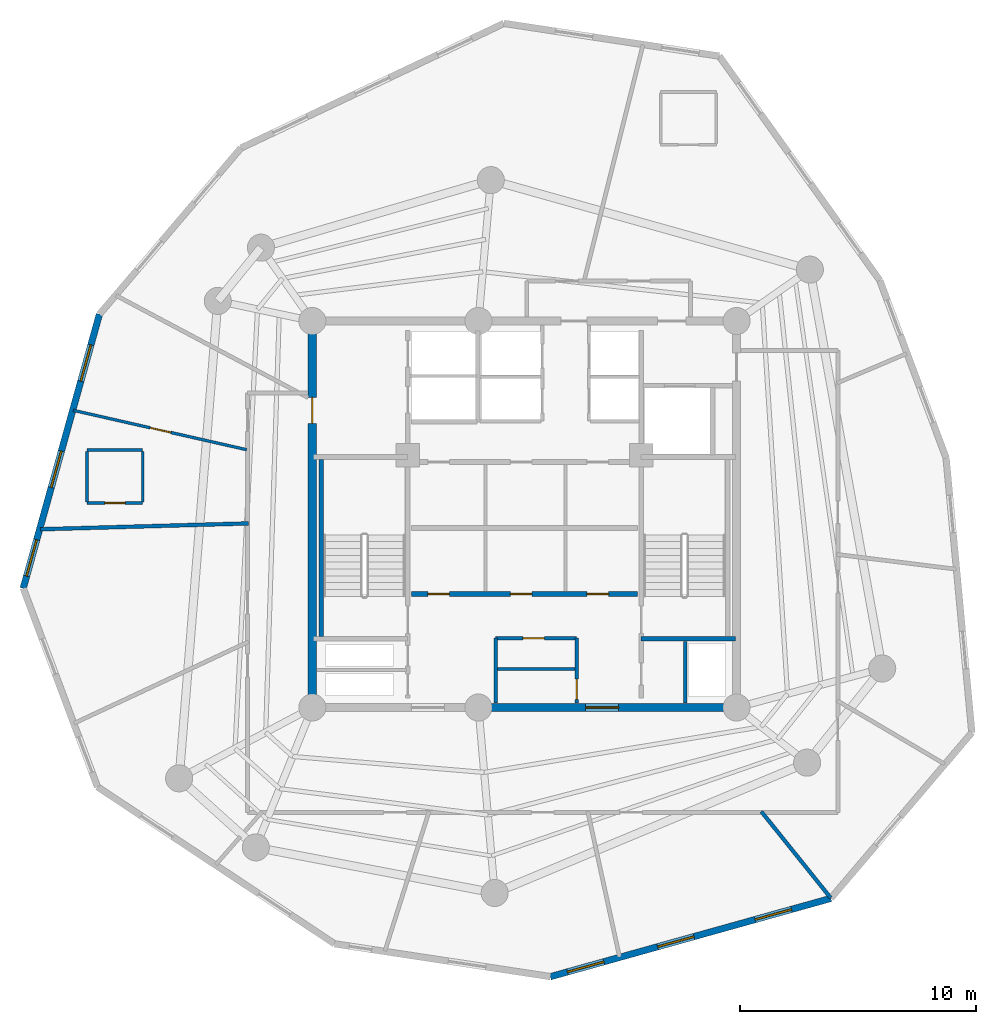
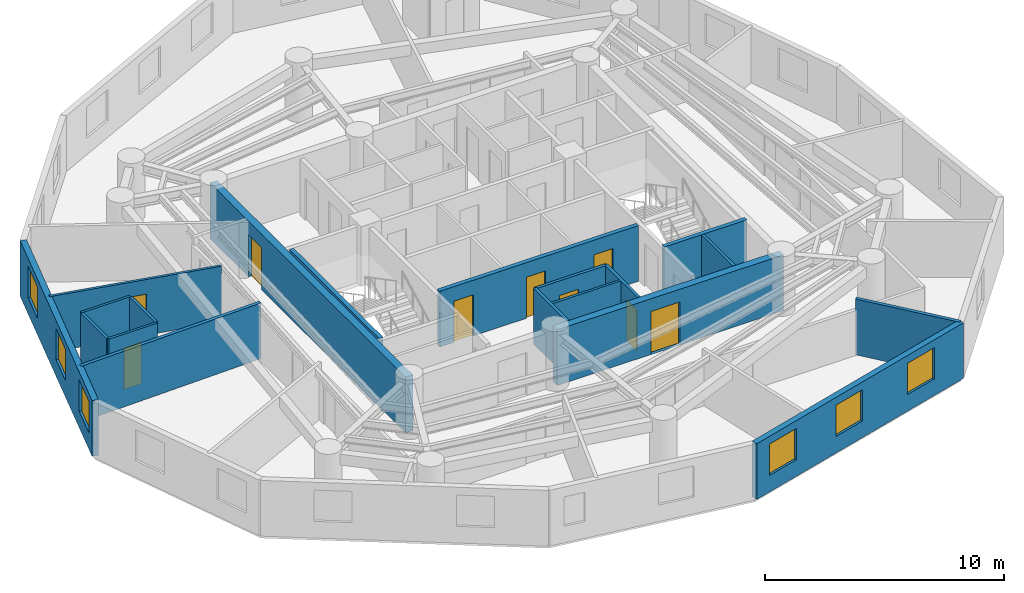
# One storey, part 3 of 7: 19 walls, 9 doors, 6 windows, 15 openings.
"""IFC4 building model written with IfcOpenShell, lengths in metres."""

from ifc_helpers import new_model, si_unit, direction, frame, frame_2d, origin, origin_with_axes, place, context, subcontext, project, spatial, rectangle, extrude, source, transform, mapped, material, layer, layer_set, type_object, element, fill, save


model = new_model("IFC4")

# Units and contexts
model_context = context("Model", 3, precision=1e-05, world=origin(), true_north=direction((0.0, 1.0)))
body_context = subcontext(model_context, "Body", "Model", "MODEL_VIEW")
ifc_project = project(units=[si_unit("LENGTHUNIT", "METRE"), si_unit("AREAUNIT", "SQUARE_METRE"), si_unit("VOLUMEUNIT", "CUBIC_METRE"), si_unit("PLANEANGLEUNIT", "RADIAN"), si_unit("MASSUNIT", "GRAM", prefix="KILO")], contexts=[model_context])

# Site, building, storey
site_placement = place(None, origin())
site = spatial("IfcSite", under=ifc_project, at=site_placement, CompositionType="ELEMENT")
building_placement = place(site_placement, origin())
building = spatial("IfcBuilding", under=site, at=building_placement, Name="Karkom Vertical University and Central Library", CompositionType="ELEMENT")
storey_placement = place(building_placement, frame((0.0, 0.0, 238.25)))
storey = spatial("IfcBuildingStorey", under=building, at=storey_placement, Name="L70", CompositionType="ELEMENT", Elevation=238.25)

# Wall, openings, windows
ifc_material_1 = material(Name="Brick-faced precast concrete C45/55", Category="masonry")
ifc_layer_1 = layer(ifc_material_1, 0.280029296875)
ifc_layer_set_1 = layer_set([ifc_layer_1], Name="Brick-faced precast concrete C45/55")
wall_type_1 = type_object("IfcWallType", Name="ENV-WL-BRK-280", PredefinedType="SOLIDWALL", material=ifc_layer_set_1)
wall_1_placement = place(storey_placement, frame((29.601318359375, 6.876220703125, 0.0), z_axis=(0.0, 0.0, 1.0), x_axis=(0.963188210112, 0.268827959673, 0.0)))
wall_1 = element("IfcWall", 1, at=wall_1_placement, inside=storey, type_object=wall_type_1, Name="Level 70 Brick-Faced Precast Facade Wall 04", PredefinedType="SOLIDWALL", context=body_context, shape_type="SweptSolid", body=[
    extrude(rectangle(XDim=12.354736328125, YDim=0.280029296875, at=frame_2d((6.17724609375, 0.0))), origin(), (0.0, 0.0, 1.0), 2.85009765625),
])
opening_1_placement = place(wall_1_placement, frame((0.757080078125, 0.0, 0.85009765625)))
opening_1 = element("IfcOpeningElement", 2, at=opening_1_placement, cuts=wall_1, Name="Opening WN-10", PredefinedType="OPENING", context=body_context, shape_type="SweptSolid", body=[
    extrude(rectangle(XDim=1.60009765625, YDim=1.60009765625, at=frame_2d((0.800048828125, 0.800048828125))), frame((0.0, 0.14990234375, 0.0), z_axis=(0.0, -1.0, 0.0), x_axis=(1.0, 0.0, 0.0)), (0.0, 0.0, 1.0), 0.300048828125),
])
opening_2_placement = place(wall_1_placement, frame((4.724609375, 0.0, 0.85009765625)))
opening_2 = element("IfcOpeningElement", 3, at=opening_2_placement, cuts=wall_1, Name="Opening WN-10", PredefinedType="OPENING", context=body_context, shape_type="SweptSolid", body=[
    extrude(rectangle(XDim=1.60009765625, YDim=1.60009765625, at=frame_2d((0.800048828125, 0.800048828125))), frame((0.0, 0.14990234375, 0.0), z_axis=(0.0, -1.0, 0.0), x_axis=(1.0, 0.0, 0.0)), (0.0, 0.0, 1.0), 0.300048828125),
])
opening_3_placement = place(wall_1_placement, frame((9.024658203125, 0.0, 0.85009765625)))
opening_3 = element("IfcOpeningElement", 4, at=opening_3_placement, cuts=wall_1, Name="Opening WN-10", PredefinedType="OPENING", context=body_context, shape_type="SweptSolid", body=[
    extrude(rectangle(XDim=1.60009765625, YDim=1.60009765625, at=frame_2d((0.800048828125, 0.800048828125))), frame((0.0, 0.14990234375, 0.0), z_axis=(0.0, -1.0, 0.0), x_axis=(1.0, 0.0, 0.0)), (0.0, 0.0, 1.0), 0.300048828125),
])
ifc_material_2 = material(Name="Aluminium thermal-break frame with solar-control IGU", Category="aluminium")
window_type = type_object("IfcWindowType", Name="ENV-WIN-WN-10", PartitioningType="SINGLE_PANEL", PredefinedType="WINDOW", material=ifc_material_2)
shared_shape_1 = source(origin_with_axes(), body_context, "Body", "SweptSolid", [
    extrude(rectangle(XDim=1.60009765625, YDim=1.60009765625, at=frame_2d((0.800048828125, 0.800048828125))), frame((0.0, 0.030029296875, 0.0), z_axis=(0.0, -1.0, 0.0), x_axis=(1.0, 0.0, 0.0)), (0.0, 0.0, 1.0), 0.06005859375),
])
window_1_placement = place(opening_1_placement, origin())
window_1 = element("IfcWindow", 5, at=window_1_placement, inside=storey, type_object=window_type, Name="Level 70 Punched Window 4.1", OverallHeight=1.60009765625, OverallWidth=1.60009765625, PartitioningType="SINGLE_PANEL", PredefinedType="WINDOW", context=body_context, shape_type="MappedRepresentation", body=[
    mapped(shared_shape_1, transform((0.0, 0.0, 0.0), scale=1.0)),
])
fill(opening_1, window_1)
window_2_placement = place(opening_2_placement, origin())
window_2 = element("IfcWindow", 6, at=window_2_placement, inside=storey, type_object=window_type, Name="Level 70 Punched Window 4.2", OverallHeight=1.60009765625, OverallWidth=1.60009765625, PartitioningType="SINGLE_PANEL", PredefinedType="WINDOW", context=body_context, shape_type="MappedRepresentation", body=[
    mapped(shared_shape_1, transform((0.0, 0.0, 0.0), scale=1.0)),
])
fill(opening_2, window_2)
window_3_placement = place(opening_3_placement, origin())
window_3 = element("IfcWindow", 7, at=window_3_placement, inside=storey, type_object=window_type, Name="Level 70 Punched Window 4.3", OverallHeight=1.60009765625, OverallWidth=1.60009765625, PartitioningType="SINGLE_PANEL", PredefinedType="WINDOW", context=body_context, shape_type="MappedRepresentation", body=[
    mapped(shared_shape_1, transform((0.0, 0.0, 0.0), scale=1.0)),
])
fill(opening_3, window_3)

wall_2_placement = place(storey_placement, frame((10.466064453125, 34.987548828125, 0.0), z_axis=(0.0, 0.0, 1.0), x_axis=(-0.267969313024, -0.963427447853, 0.0)))
wall_2 = element("IfcWall", 8, at=wall_2_placement, inside=storey, type_object=wall_type_1, Name="Level 70 Brick-Faced Precast Facade Wall 12", PredefinedType="SOLIDWALL", context=body_context, shape_type="SweptSolid", body=[
    extrude(rectangle(XDim=12.07080078125, YDim=0.280029296875, at=frame_2d((6.035400390625, 0.0))), origin(), (0.0, 0.0, 1.0), 2.85009765625),
])
opening_4_placement = place(wall_2_placement, frame((1.351806640625, 0.0, 0.85009765625)))
opening_4 = element("IfcOpeningElement", 9, at=opening_4_placement, cuts=wall_2, Name="Opening WN-10", PredefinedType="OPENING", context=body_context, shape_type="SweptSolid", body=[
    extrude(rectangle(XDim=1.60009765625, YDim=1.60009765625, at=frame_2d((0.800048828125, 0.800048828125))), frame((0.0, 0.14990234375, 0.0), z_axis=(0.0, -1.0, 0.0), x_axis=(1.0, 0.0, 0.0)), (0.0, 0.0, 1.0), 0.300048828125),
])
opening_5_placement = place(wall_2_placement, frame((6.028564453125, 0.0, 0.85009765625)))
opening_5 = element("IfcOpeningElement", 10, at=opening_5_placement, cuts=wall_2, Name="Opening WN-10", PredefinedType="OPENING", context=body_context, shape_type="SweptSolid", body=[
    extrude(rectangle(XDim=1.60009765625, YDim=1.60009765625, at=frame_2d((0.800048828125, 0.800048828125))), frame((0.0, 0.14990234375, 0.0), z_axis=(0.0, -1.0, 0.0), x_axis=(1.0, 0.0, 0.0)), (0.0, 0.0, 1.0), 0.300048828125),
])
opening_6_placement = place(wall_2_placement, frame((9.931884765625, 0.0, 0.85009765625)))
opening_6 = element("IfcOpeningElement", 11, at=opening_6_placement, cuts=wall_2, Name="Opening WN-10", PredefinedType="OPENING", context=body_context, shape_type="SweptSolid", body=[
    extrude(rectangle(XDim=1.60009765625, YDim=1.60009765625, at=frame_2d((0.800048828125, 0.800048828125))), frame((0.0, 0.14990234375, 0.0), z_axis=(0.0, -1.0, 0.0), x_axis=(1.0, 0.0, 0.0)), (0.0, 0.0, 1.0), 0.300048828125),
])
window_4_placement = place(opening_4_placement, origin())
window_4 = element("IfcWindow", 12, at=window_4_placement, inside=storey, type_object=window_type, Name="Level 70 Punched Window 12.1", OverallHeight=1.60009765625, OverallWidth=1.60009765625, PartitioningType="SINGLE_PANEL", PredefinedType="WINDOW", context=body_context, shape_type="MappedRepresentation", body=[
    mapped(shared_shape_1, transform((0.0, 0.0, 0.0), scale=1.0)),
])
fill(opening_4, window_4)
window_5_placement = place(opening_5_placement, origin())
window_5 = element("IfcWindow", 13, at=window_5_placement, inside=storey, type_object=window_type, Name="Level 70 Punched Window 12.2", OverallHeight=1.60009765625, OverallWidth=1.60009765625, PartitioningType="SINGLE_PANEL", PredefinedType="WINDOW", context=body_context, shape_type="MappedRepresentation", body=[
    mapped(shared_shape_1, transform((0.0, 0.0, 0.0), scale=1.0)),
])
fill(opening_5, window_5)
window_6_placement = place(opening_6_placement, origin())
window_6 = element("IfcWindow", 14, at=window_6_placement, inside=storey, type_object=window_type, Name="Level 70 Punched Window 12.3", OverallHeight=1.60009765625, OverallWidth=1.60009765625, PartitioningType="SINGLE_PANEL", PredefinedType="WINDOW", context=body_context, shape_type="MappedRepresentation", body=[
    mapped(shared_shape_1, transform((0.0, 0.0, 0.0), scale=1.0)),
])
fill(opening_6, window_6)

# Walls
ifc_material_3 = material(Name="Insulated metal-stud drywall 160mm", Category="gypsum")
ifc_layer_2 = layer(ifc_material_3, 0.159912109375)
ifc_layer_set_2 = layer_set([ifc_layer_2], Name="Insulated metal-stud drywall 160mm")
wall_type_2 = type_object("IfcWallType", Name="INT-WL-COR-160", PredefinedType="PARTITIONING", material=ifc_layer_set_2)
wall_3_placement = place(storey_placement, frame((7.956787109375, 25.86279296875, 0.0), z_axis=(0.0, 0.0, 1.0), x_axis=(0.999605642757, 0.028081292157, 0.0)))
element("IfcWall", 15, at=wall_3_placement, inside=storey, type_object=wall_type_2, Name="Level 70 Interior Partition Wall L70-PW-002", PredefinedType="PARTITIONING", context=body_context, shape_type="SweptSolid", body=[
    extrude(rectangle(XDim=8.841796875, YDim=0.159912109375, at=frame_2d((4.4208984375, 0.0))), origin(), (0.0, 0.0, 1.0), 2.85009765625),
])
wall_4_placement = place(storey_placement, frame((38.553466796875, 13.885009765625, 0.0), z_axis=(0.0, 0.0, 1.0), x_axis=(0.626159620149, -0.779694895517, 0.0)))
element("IfcWall", 16, at=wall_4_placement, inside=storey, type_object=wall_type_2, Name="Level 70 Interior Partition Wall L70-PW-008", PredefinedType="PARTITIONING", context=body_context, shape_type="SweptSolid", body=[
    extrude(rectangle(XDim=4.6923828125, YDim=0.159912109375, at=frame_2d((2.34619140625, 0.0))), origin(), (0.0, 0.0, 1.0), 2.85009765625),
])

# Wall, opening, door
ifc_material_4 = material(Name="Moisture-resistant drywall 120mm", Category="gypsum")
ifc_layer_3 = layer(ifc_material_4, 0.1201171875)
ifc_layer_set_3 = layer_set([ifc_layer_3], Name="Moisture-resistant drywall 120mm")
wall_type_3 = type_object("IfcWallType", Name="INT-WL-INT-120", PredefinedType="PARTITIONING", material=ifc_layer_set_3)
wall_5_placement = place(storey_placement, frame((16.7138671875, 29.239013671875, 0.0), z_axis=(0.0, 0.0, 1.0), x_axis=(-0.975158919123, 0.22150639371, 0.0)))
wall_5 = element("IfcWall", 17, at=wall_5_placement, inside=storey, type_object=wall_type_3, Name="Level 70 Interior Partition Wall L70-APT-11-DIV", PredefinedType="PARTITIONING", context=body_context, shape_type="SweptSolid", body=[
    extrude(rectangle(XDim=7.54345703125, YDim=0.1201171875, at=frame_2d((3.771728515625, 0.0))), origin(), (0.0, 0.0, 1.0), 2.85009765625),
])
opening_7_placement = place(wall_5_placement, frame((3.296630859375, 0.0, 0.0)))
opening_7 = element("IfcOpeningElement", 18, at=opening_7_placement, cuts=wall_5, Name="Opening D-INT1", PredefinedType="OPENING", context=body_context, shape_type="SweptSolid", body=[
    extrude(rectangle(XDim=0.89990234375, YDim=2.10009765625, at=frame_2d((0.449951171875, 1.050048828125))), frame((0.0, 0.070068359375, 0.0), z_axis=(0.0, -1.0, 0.0), x_axis=(1.0, 0.0, 0.0)), (0.0, 0.0, 1.0), 0.14013671875),
])
ifc_material_5 = material(Name="Painted solid-core timber door", Category="wood")
door_type_1 = type_object("IfcDoorType", Name="INT-DR-INT1", OperationType="NOTDEFINED", PredefinedType="DOOR", material=ifc_material_5)
shared_shape_2 = source(origin_with_axes(), body_context, "Body", "SweptSolid", [
    extrude(rectangle(XDim=0.89990234375, YDim=2.10009765625, at=frame_2d((0.449951171875, 1.050048828125))), frame((0.0, 0.02490234375, 0.0), z_axis=(0.0, -1.0, 0.0), x_axis=(1.0, 0.0, 0.0)), (0.0, 0.0, 1.0), 0.050048828125),
])
door_1_placement = place(opening_7_placement, origin())
door_1 = element("IfcDoor", 19, at=door_1_placement, inside=storey, type_object=door_type_1, Name="Level 70 Flat L70-11 Internal Door", OperationType="SINGLE_SWING_LEFT", OverallHeight=2.10009765625, OverallWidth=0.89990234375, PredefinedType="DOOR", context=body_context, shape_type="MappedRepresentation", body=[
    mapped(shared_shape_2, transform((0.0, 0.0, 0.0), scale=1.0)),
])
fill(opening_7, door_1)

# Wall
wall_6_placement = place(storey_placement, frame((27.280029296875, 19.93994140625, 0.0), z_axis=(0.0, 0.0, 1.0), x_axis=(1.0, 0.0, 0.0)))
element("IfcWall", 20, at=wall_6_placement, inside=storey, type_object=wall_type_3, Name="Level 70 Interior Partition Wall L70-CW-K4-DIV", PredefinedType="PARTITIONING", context=body_context, shape_type="SweptSolid", body=[
    extrude(rectangle(XDim=3.43994140625, YDim=0.1201171875, at=frame_2d((1.719970703125, 0.0))), origin(), (0.0, 0.0, 1.0), 2.85009765625),
])

# Wall, opening, door
ifc_layer_4 = layer(ifc_material_4, 0.1201171875)
ifc_layer_set_4 = layer_set([ifc_layer_4], Name="Moisture-resistant drywall 120mm")
wall_type_4 = type_object("IfcWallType", Name="INT-WL-INT-120F", PredefinedType="PARTITIONING", material=ifc_layer_set_4)
wall_7_placement = place(storey_placement, frame((9.945068359375, 26.97998046875, 0.0), z_axis=(0.0, 0.0, 1.0), x_axis=(1.0, 0.0, 0.0)))
wall_7 = element("IfcWall", 21, at=wall_7_placement, inside=storey, type_object=wall_type_4, Name="Level 70 Interior Partition Wall L70-ENS-50-S", PredefinedType="PARTITIONING", context=body_context, shape_type="SweptSolid", body=[
    extrude(rectangle(XDim=2.35986328125, YDim=0.1201171875, at=frame_2d((1.179931640625, 0.0))), origin(), (0.0, 0.0, 1.0), 2.85009765625),
])
opening_8_placement = place(wall_7_placement, frame((0.75, 0.0, 0.0)))
opening_8 = element("IfcOpeningElement", 22, at=opening_8_placement, cuts=wall_7, Name="Opening D-BATH", PredefinedType="OPENING", context=body_context, shape_type="SweptSolid", body=[
    extrude(rectangle(XDim=0.860107421875, YDim=2.10009765625, at=frame_2d((0.43017578125, 1.050048828125))), frame((0.0, 0.070068359375, 0.0), z_axis=(0.0, -1.0, 0.0), x_axis=(1.0, 0.0, 0.0)), (0.0, 0.0, 1.0), 0.14013671875),
])
ifc_material_6 = material(Name="Moisture-resistant oak door", Category="wood")
door_type_2 = type_object("IfcDoorType", Name="INT-DR-BATH", OperationType="NOTDEFINED", PredefinedType="DOOR", material=ifc_material_6)
shared_shape_3 = source(origin_with_axes(), body_context, "Body", "SweptSolid", [
    extrude(rectangle(XDim=0.860107421875, YDim=2.10009765625, at=frame_2d((0.43017578125, 1.050048828125))), frame((0.0, 0.02490234375, 0.0), z_axis=(0.0, -1.0, 0.0), x_axis=(1.0, 0.0, 0.0)), (0.0, 0.0, 1.0), 0.050048828125),
])
door_2_placement = place(opening_8_placement, origin())
door_2 = element("IfcDoor", 23, at=door_2_placement, inside=storey, type_object=door_type_2, Name="Level 70 En-Suite Bathroom Door 50", OperationType="SINGLE_SWING_RIGHT", OverallHeight=2.10009765625, OverallWidth=0.860107421875, PredefinedType="DOOR", context=body_context, shape_type="MappedRepresentation", body=[
    mapped(shared_shape_3, transform((0.0, 0.0, 0.0), scale=1.0)),
])
fill(opening_8, door_2)

# Walls
wall_8_placement = place(storey_placement, frame((12.304931640625, 29.219970703125, 0.0), z_axis=(0.0, 0.0, 1.0), x_axis=(-1.0, 0.0, 0.0)))
element("IfcWall", 24, at=wall_8_placement, inside=storey, type_object=wall_type_4, Name="Level 70 Interior Partition Wall L70-ENS-50-N", PredefinedType="PARTITIONING", context=body_context, shape_type="SweptSolid", body=[
    extrude(rectangle(XDim=2.35986328125, YDim=0.1201171875, at=frame_2d((1.179931640625, 0.0))), origin(), (0.0, 0.0, 1.0), 2.85009765625),
])
for number, where, z_axis, x_axis, name in (
    (25, (12.304931640625, 27.030029296875, 0.0), (0.0, 0.0, 1.0), (0.0, 1.0, 0.0), "Level 70 Interior Partition Wall L70-ENS-50-E"),
    (26, (9.945068359375, 29.169921875, 0.0), (0.0, 0.0, 1.0), (0.0, -1.0, 0.0), "Level 70 Interior Partition Wall L70-ENS-50-W"),
):
    element("IfcWall", number, at=place(storey_placement, frame(where, z_axis=z_axis, x_axis=x_axis)), inside=storey, type_object=wall_type_4, Name=name, PredefinedType="PARTITIONING", context=body_context, shape_type="SweptSolid", body=[
        extrude(rectangle(XDim=2.139892578125, YDim=0.1201171875, at=frame_2d((1.06982421875, 0.0))), origin(), (0.0, 0.0, 1.0), 2.85009765625),
    ])

# Wall, opening, door
ifc_material_7 = material(Name="Metal-stud gypsum partition 140mm", Category="gypsum")
ifc_layer_5 = layer(ifc_material_7, 0.139892578125)
ifc_layer_set_5 = layer_set([ifc_layer_5], Name="Metal-stud gypsum partition 140mm")
wall_type_5 = type_object("IfcWallType", Name="INT-WL-SUB-140", PredefinedType="PARTITIONING", material=ifc_layer_set_5)
wall_9_placement = place(storey_placement, frame((27.280029296875, 21.239990234375, 0.0), z_axis=(0.0, 0.0, 1.0), x_axis=(1.0, 0.0, 0.0)))
wall_9 = element("IfcWall", 27, at=wall_9_placement, inside=storey, type_object=wall_type_5, Name="Level 70 Interior Partition Wall L70-CW-KBAY-N", PredefinedType="PARTITIONING", context=body_context, shape_type="SweptSolid", body=[
    extrude(rectangle(XDim=3.43994140625, YDim=0.139892578125, at=frame_2d((1.719970703125, 0.0))), origin(), (0.0, 0.0, 1.0), 2.85009765625),
])
opening_9_placement = place(wall_9_placement, frame((1.14990234375, 0.0, 0.0)))
opening_9 = element("IfcOpeningElement", 28, at=opening_9_placement, cuts=wall_9, Name="Opening D-SVC1", PredefinedType="OPENING", context=body_context, shape_type="SweptSolid", body=[
    extrude(rectangle(XDim=0.919921875, YDim=2.10009765625, at=frame_2d((0.4599609375, 1.050048828125))), frame((0.0, 0.080078125, 0.0), z_axis=(0.0, -1.0, 0.0), x_axis=(1.0, 0.0, 0.0)), (0.0, 0.0, 1.0), 0.159912109375),
])
ifc_material_8 = material(Name="Painted timber service door", Category="wood")
door_type_3 = type_object("IfcDoorType", Name="INT-DR-SVC1", OperationType="NOTDEFINED", PredefinedType="DOOR", material=ifc_material_8)
shared_shape_4 = source(origin_with_axes(), body_context, "Body", "SweptSolid", [
    extrude(rectangle(XDim=0.919921875, YDim=2.10009765625, at=frame_2d((0.4599609375, 1.050048828125))), frame((0.0, 0.02490234375, 0.0), z_axis=(0.0, -1.0, 0.0), x_axis=(1.0, 0.0, 0.0)), (0.0, 0.0, 1.0), 0.050048828125),
])
door_3_placement = place(opening_9_placement, origin())
door_3 = element("IfcDoor", 29, at=door_3_placement, inside=storey, type_object=door_type_3, Name="Level 70 Valve Cupboard Door", OperationType="SINGLE_SWING_RIGHT", OverallHeight=2.10009765625, OverallWidth=0.919921875, PredefinedType="DOOR", context=body_context, shape_type="MappedRepresentation", body=[
    mapped(shared_shape_4, transform((0.0, 0.0, 0.0), scale=1.0)),
])
fill(opening_9, door_3)

# Wall
wall_10_placement = place(storey_placement, frame((27.280029296875, 18.48193359375, 0.0), z_axis=(0.0, 0.0, 1.0), x_axis=(0.0, 1.0, 0.0)))
element("IfcWall", 30, at=wall_10_placement, inside=storey, type_object=wall_type_5, Name="Level 70 Interior Partition Wall L70-CW-KBAY-W", PredefinedType="PARTITIONING", context=body_context, shape_type="SweptSolid", body=[
    extrude(rectangle(XDim=2.758056640625, YDim=0.139892578125, at=frame_2d((1.37890625, 0.0))), origin(), (0.0, 0.0, 1.0), 2.85009765625),
])

# Wall, opening, door
wall_11_placement = place(storey_placement, frame((30.719970703125, 18.48193359375, 0.0), z_axis=(0.0, 0.0, 1.0), x_axis=(0.0, 1.0, 0.0)))
wall_11 = element("IfcWall", 31, at=wall_11_placement, inside=storey, type_object=wall_type_5, Name="Level 70 Interior Partition Wall L70-CW-KBAY-E", PredefinedType="PARTITIONING", context=body_context, shape_type="SweptSolid", body=[
    extrude(rectangle(XDim=2.758056640625, YDim=0.139892578125, at=frame_2d((1.37890625, 0.0))), origin(), (0.0, 0.0, 1.0), 2.85009765625),
])
opening_10_placement = place(wall_11_placement, frame((0.159912109375, 0.0, 0.0)))
opening_10 = element("IfcOpeningElement", 32, at=opening_10_placement, cuts=wall_11, Name="Opening FD-BTH1", PredefinedType="OPENING", context=body_context, shape_type="SweptSolid", body=[
    extrude(rectangle(XDim=0.860107421875, YDim=2.10009765625, at=frame_2d((0.43017578125, 1.050048828125))), frame((0.0, 0.080078125, 0.0), z_axis=(0.0, -1.0, 0.0), x_axis=(1.0, 0.0, 0.0)), (0.0, 0.0, 1.0), 0.159912109375),
])
ifc_material_9 = material(Name="Fire-rated moisture-resistant oak door", Category="wood")
door_type_4 = type_object("IfcDoorType", Name="INT-DR-FBTH1", OperationType="NOTDEFINED", PredefinedType="DOOR", material=ifc_material_9)
door_4_placement = place(opening_10_placement, origin())
door_4 = element("IfcDoor", 33, at=door_4_placement, inside=storey, type_object=door_type_4, Name="Level 70 Metering Cupboard Door", OperationType="SINGLE_SWING_LEFT", OverallHeight=2.10009765625, OverallWidth=0.860107421875, PredefinedType="DOOR", context=body_context, shape_type="MappedRepresentation", body=[
    mapped(shared_shape_3, transform((0.0, 0.0, 0.0), scale=1.0)),
])
fill(opening_10, door_4)

# Wall
ifc_layer_6 = layer(ifc_material_7, 0.139892578125)
ifc_layer_set_6 = layer_set([ifc_layer_6], Name="Metal-stud gypsum partition 140mm")
wall_type_6 = type_object("IfcWallType", Name="INT-WL-SUB-140H", PredefinedType="PARTITIONING", material=ifc_layer_set_6)
wall_12_placement = place(storey_placement, frame((35.320068359375, 18.48193359375, 0.0), z_axis=(0.0, 0.0, 1.0), x_axis=(0.0, 1.0, 0.0)))
element("IfcWall", 34, at=wall_12_placement, inside=storey, type_object=wall_type_6, Name="Level 70 Interior Partition Wall L70-CW-RIS-E", PredefinedType="PARTITIONING", context=body_context, shape_type="SweptSolid", body=[
    extrude(rectangle(XDim=2.629150390625, YDim=0.139892578125, at=frame_2d((1.314453125, 0.0))), origin(), (0.0, 0.0, 1.0), 2.85009765625),
])

# Wall, opening, door
ifc_material_10 = material(Name="Concrete C45/55", Category="concrete")
ifc_layer_7 = layer(ifc_material_10, 0.35009765625)
ifc_layer_set_7 = layer_set([ifc_layer_7], Name="Concrete C45/55")
wall_type_7 = type_object("IfcWallType", Name="STR-WL-CW-350", PredefinedType="SHEAR", material=ifc_layer_set_7)
wall_13_placement = place(storey_placement, frame((26.550048828125, 18.300048828125, 0.0), z_axis=(0.0, 0.0, 1.0), x_axis=(1.0, 0.0, 0.0)))
wall_13 = element("IfcWall", 35, at=wall_13_placement, inside=storey, type_object=wall_type_7, Name="Level 70 Central Core Shear Wall SW2", PredefinedType="SHEAR", context=body_context, shape_type="SweptSolid", body=[
    extrude(rectangle(XDim=10.949951171875, YDim=0.35009765625, at=frame_2d((5.47509765625, 0.0))), origin(), (0.0, 0.0, 1.0), 2.85009765625),
])
opening_11_placement = place(wall_13_placement, frame((4.550048828125, 0.0, 0.0)))
opening_11 = element("IfcOpeningElement", 36, at=opening_11_placement, cuts=wall_13, Name="Opening FD-CLB", PredefinedType="OPENING", context=body_context, shape_type="SweptSolid", body=[
    extrude(rectangle(XDim=1.39990234375, YDim=2.199951171875, at=frame_2d((0.699951171875, 1.10009765625))), frame((0.0, 0.18505859375, 0.0), z_axis=(0.0, -1.0, 0.0), x_axis=(1.0, 0.0, 0.0)), (0.0, 0.0, 1.0), 0.3701171875),
])
ifc_material_11 = material(Name="Painted steel fire door", Category="steel")
door_type_5 = type_object("IfcDoorType", Name="INT-DR-CLB", OperationType="DOUBLE_DOOR_SINGLE_SWING", PredefinedType="DOOR", material=ifc_material_11)
shared_shape_5 = source(origin_with_axes(), body_context, "Body", "SweptSolid", [
    extrude(rectangle(XDim=1.39990234375, YDim=2.199951171875, at=frame_2d((0.699951171875, 1.10009765625))), frame((0.0, 0.02490234375, 0.0), z_axis=(0.0, -1.0, 0.0), x_axis=(1.0, 0.0, 0.0)), (0.0, 0.0, 1.0), 0.050048828125),
])
door_5_placement = place(opening_11_placement, origin())
door_5 = element("IfcDoor", 37, at=door_5_placement, inside=storey, type_object=door_type_5, Name="Level 70 South Core Lobby East Exit Door", OperationType="DOUBLE_DOOR_SINGLE_SWING", OverallHeight=2.199951171875, OverallWidth=1.39990234375, PredefinedType="DOOR", context=body_context, shape_type="MappedRepresentation", body=[
    mapped(shared_shape_5, transform((0.0, 0.0, 0.0), scale=1.0)),
])
fill(opening_11, door_5)

wall_14_placement = place(storey_placement, frame((19.5, 34.699951171875, 0.0), z_axis=(0.0, 0.0, 1.0), x_axis=(0.0, -1.0, 0.0)))
wall_14 = element("IfcWall", 38, at=wall_14_placement, inside=storey, type_object=wall_type_7, Name="Level 70 Central Core Shear Wall WW", PredefinedType="SHEAR", context=body_context, shape_type="SweptSolid", body=[
    extrude(rectangle(XDim=16.39990234375, YDim=0.35009765625, at=frame_2d((8.199951171875, 0.0))), origin(), (0.0, 0.0, 1.0), 2.85009765625),
])
opening_12_placement = place(wall_14_placement, frame((3.239990234375, 0.0, 0.0)))
opening_12 = element("IfcOpeningElement", 39, at=opening_12_placement, cuts=wall_14, Name="Opening FD-FFL", PredefinedType="OPENING", context=body_context, shape_type="SweptSolid", body=[
    extrude(rectangle(XDim=1.10009765625, YDim=2.14990234375, at=frame_2d((0.550048828125, 1.074951171875))), frame((0.0, 0.18505859375, 0.0), z_axis=(0.0, -1.0, 0.0), x_axis=(1.0, 0.0, 0.0)), (0.0, 0.0, 1.0), 0.3701171875),
])
ifc_material_12 = material(Name="Painted steel smoke-seal fire door", Category="steel")
door_type_6 = type_object("IfcDoorType", Name="INT-DR-FFL", OperationType="NOTDEFINED", PredefinedType="DOOR", material=ifc_material_12)
shared_shape_6 = source(origin_with_axes(), body_context, "Body", "SweptSolid", [
    extrude(rectangle(XDim=1.10009765625, YDim=2.14990234375, at=frame_2d((0.550048828125, 1.074951171875))), frame((0.0, 0.02490234375, 0.0), z_axis=(0.0, -1.0, 0.0), x_axis=(1.0, 0.0, 0.0)), (0.0, 0.0, 1.0), 0.050048828125),
])
door_6_placement = place(opening_12_placement, origin())
door_6 = element("IfcDoor", 40, at=door_6_placement, inside=storey, type_object=door_type_6, Name="Level 70 West Corridor Firefighting Lobby Door", OperationType="SINGLE_SWING_LEFT", OverallHeight=2.14990234375, OverallWidth=1.10009765625, PredefinedType="DOOR", context=body_context, shape_type="MappedRepresentation", body=[
    mapped(shared_shape_6, transform((0.0, 0.0, 0.0), scale=1.0)),
])
fill(opening_12, door_6)

# Wall, openings, doors
ifc_layer_8 = layer(ifc_material_10, 0.199951171875)
ifc_layer_set_8 = layer_set([ifc_layer_8], Name="Concrete C45/55")
wall_type_8 = type_object("IfcWallType", Name="STR-WL-ST-200", PredefinedType="SHEAR", material=ifc_layer_set_8)
wall_15_placement = place(storey_placement, frame((23.699951171875, 23.1201171875, 0.0), z_axis=(0.0, 0.0, 1.0), x_axis=(1.0, 0.0, 0.0)))
wall_15 = element("IfcWall", 41, at=wall_15_placement, inside=storey, type_object=wall_type_8, Name="Level 70 Core Shaft Wall L70-CW-B1-S", PredefinedType="SHEAR", context=body_context, shape_type="SweptSolid", body=[
    extrude(rectangle(XDim=9.60009765625, YDim=0.199951171875, at=frame_2d((4.800048828125, 0.0))), origin(), (0.0, 0.0, 1.0), 2.85009765625),
])
opening_13_placement = place(wall_15_placement, frame((0.699951171875, 0.0, 0.0)))
opening_13 = element("IfcOpeningElement", 42, at=opening_13_placement, cuts=wall_15, Name="Opening D-SVC1", PredefinedType="OPENING", context=body_context, shape_type="SweptSolid", body=[
    extrude(rectangle(XDim=0.919921875, YDim=2.10009765625, at=frame_2d((0.4599609375, 1.050048828125))), frame((0.0, 0.10986328125, 0.0), z_axis=(0.0, -1.0, 0.0), x_axis=(1.0, 0.0, 0.0)), (0.0, 0.0, 1.0), 0.219970703125),
])
opening_14_placement = place(wall_15_placement, frame((4.199951171875, 0.0, 0.0)))
opening_14 = element("IfcOpeningElement", 43, at=opening_14_placement, cuts=wall_15, Name="Opening D-SVC1", PredefinedType="OPENING", context=body_context, shape_type="SweptSolid", body=[
    extrude(rectangle(XDim=0.919921875, YDim=2.10009765625, at=frame_2d((0.4599609375, 1.050048828125))), frame((0.0, 0.10986328125, 0.0), z_axis=(0.0, -1.0, 0.0), x_axis=(1.0, 0.0, 0.0)), (0.0, 0.0, 1.0), 0.219970703125),
])
opening_15_placement = place(wall_15_placement, frame((7.449951171875, 0.0, 0.0)))
opening_15 = element("IfcOpeningElement", 44, at=opening_15_placement, cuts=wall_15, Name="Opening D-SVC1", PredefinedType="OPENING", context=body_context, shape_type="SweptSolid", body=[
    extrude(rectangle(XDim=0.919921875, YDim=2.10009765625, at=frame_2d((0.4599609375, 1.050048828125))), frame((0.0, 0.10986328125, 0.0), z_axis=(0.0, -1.0, 0.0), x_axis=(1.0, 0.0, 0.0)), (0.0, 0.0, 1.0), 0.219970703125),
])
door_7_placement = place(opening_13_placement, origin())
door_7 = element("IfcDoor", 45, at=door_7_placement, inside=storey, type_object=door_type_3, Name="Level 70 B1 Store A Door", OperationType="SINGLE_SWING_LEFT", OverallHeight=2.10009765625, OverallWidth=0.919921875, PredefinedType="DOOR", context=body_context, shape_type="MappedRepresentation", body=[
    mapped(shared_shape_4, transform((0.0, 0.0, 0.0), scale=1.0)),
])
fill(opening_13, door_7)
door_8_placement = place(opening_14_placement, origin())
door_8 = element("IfcDoor", 46, at=door_8_placement, inside=storey, type_object=door_type_3, Name="Level 70 B1 Comms Door", OperationType="SINGLE_SWING_RIGHT", OverallHeight=2.10009765625, OverallWidth=0.919921875, PredefinedType="DOOR", context=body_context, shape_type="MappedRepresentation", body=[
    mapped(shared_shape_4, transform((0.0, 0.0, 0.0), scale=1.0)),
])
fill(opening_14, door_8)
door_9_placement = place(opening_15_placement, origin())
door_9 = element("IfcDoor", 47, at=door_9_placement, inside=storey, type_object=door_type_3, Name="Level 70 B1 Store C Door", OperationType="SINGLE_SWING_LEFT", OverallHeight=2.10009765625, OverallWidth=0.919921875, PredefinedType="DOOR", context=body_context, shape_type="MappedRepresentation", body=[
    mapped(shared_shape_4, transform((0.0, 0.0, 0.0), scale=1.0)),
])
fill(opening_15, door_9)

# Walls
wall_16_placement = place(storey_placement, frame((19.875, 21.320068359375, 0.0), z_axis=(0.0, 0.0, 1.0), x_axis=(0.0, 1.0, 0.0)))
element("IfcWall", 48, at=wall_16_placement, inside=storey, type_object=wall_type_8, Name="Level 70 Core Shaft Wall L70-CW-ST1-W", PredefinedType="SHEAR", context=body_context, shape_type="SweptSolid", body=[
    extrude(rectangle(XDim=7.5, YDim=0.199951171875, at=frame_2d((3.75, 0.0))), origin(), (0.0, 0.0, 1.0), 2.85009765625),
])
wall_17_placement = place(storey_placement, frame((33.455078125, 21.215087890625, 0.0), z_axis=(0.0, 0.0, 1.0), x_axis=(1.0, 0.0, 0.0)))
element("IfcWall", 49, at=wall_17_placement, inside=storey, type_object=wall_type_8, Name="Level 70 Core Shaft Wall L70-CW-ST2-S", PredefinedType="SHEAR", context=body_context, shape_type="SweptSolid", body=[
    extrude(rectangle(XDim=3.994873046875, YDim=0.199951171875, at=frame_2d((1.99755859375, 0.0))), origin(), (0.0, 0.0, 1.0), 2.85009765625),
])

save(model, "model.ifc")
